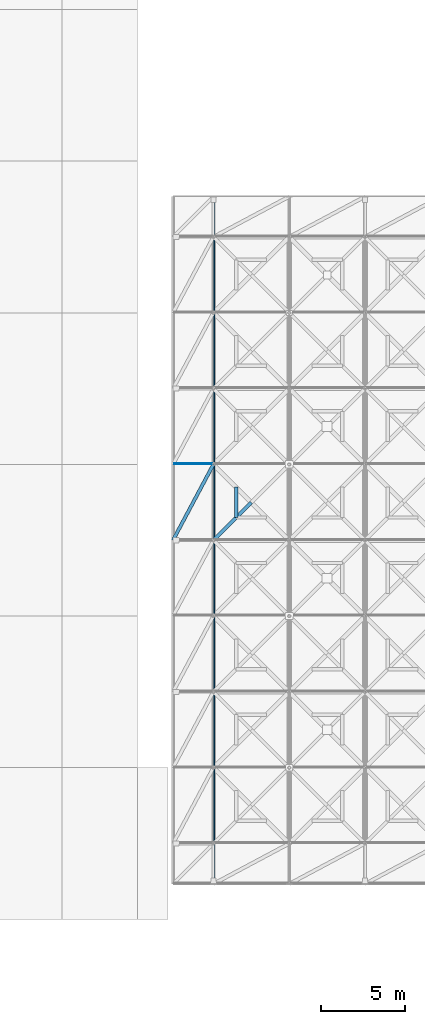
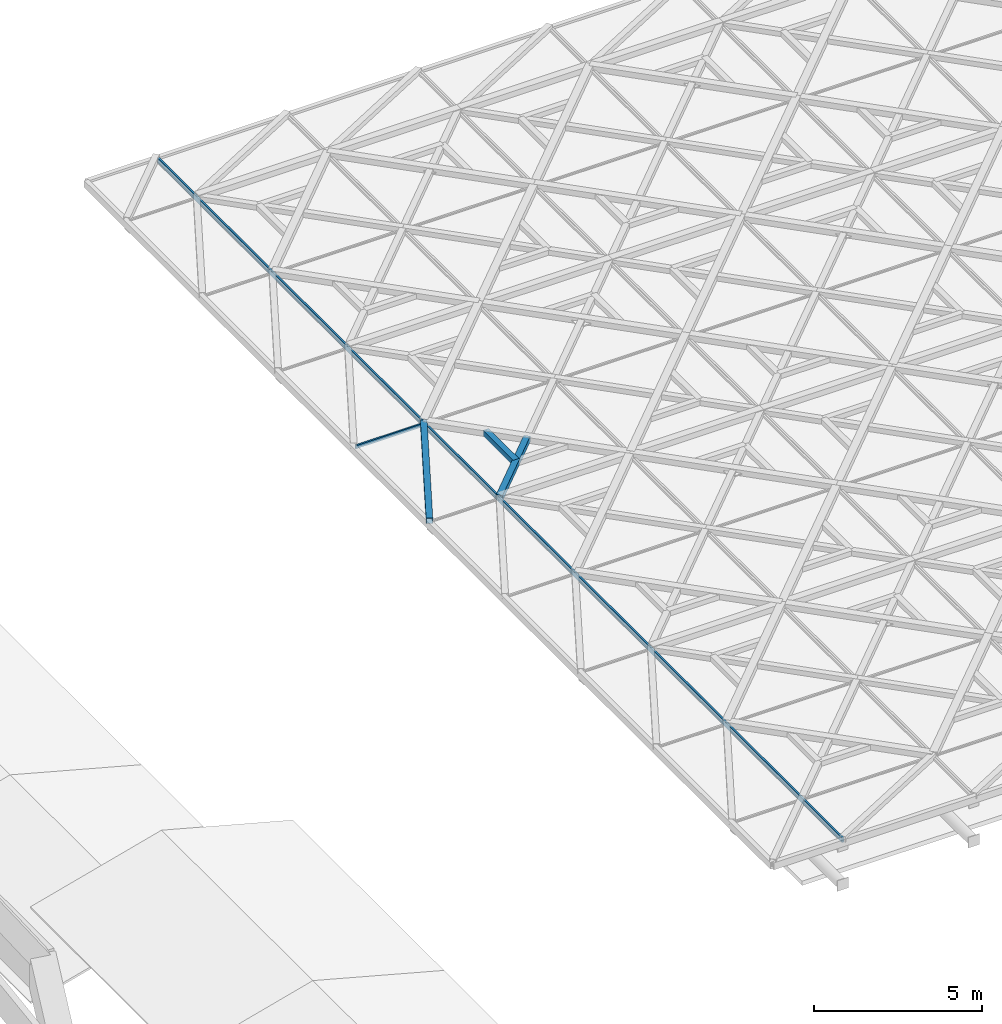
# One storey, part 7 of 80: 5 members, 2 elements without a shape of their own.
"""IFC4 building model written with IfcOpenShell, lengths in metres."""

from ifc_helpers import new_model, si_unit, direction, frame, origin, origin_2d, place, context, subcontext, project, spatial, rectangle, hollow_rectangle, extrude, material, material_profile, profile_set, type_object, element, aggregate, save


model = new_model("IFC4")

# Units and contexts
model_context = context("Model", 3, precision=1e-05, world=origin(), true_north=direction((0.0, 1.0)))
body_context = subcontext(model_context, "Body", "Model", "MODEL_VIEW")
ifc_project = project(units=[si_unit("LENGTHUNIT", "METRE"), si_unit("AREAUNIT", "SQUARE_METRE"), si_unit("VOLUMEUNIT", "CUBIC_METRE"), si_unit("PLANEANGLEUNIT", "RADIAN"), si_unit("MASSUNIT", "GRAM", prefix="KILO"), si_unit("THERMODYNAMICTEMPERATUREUNIT", "KELVIN"), si_unit("POWERUNIT", "WATT")], contexts=[model_context])

# Site, building, storey
site_placement = place(None, origin())
site = spatial("IfcSite", under=ifc_project, at=site_placement, CompositionType="ELEMENT")
building_placement = place(site_placement, origin())
building = spatial("IfcBuilding", under=site, at=building_placement, Name="Tallowbark Science Centre", CompositionType="ELEMENT")
storey_placement = place(building_placement, frame((0.0, 0.0, 25.949951171875)))
storey = spatial("IfcBuildingStorey", under=building, at=storey_placement, Name="ROOF", CompositionType="ELEMENT", Elevation=25.949951171875)

# Curtain wall, member
ifc_material_1 = material(Name="Blue-Tinted Laminated Low-E Skylight Glass", Category="glass")
curtain_wall_type = type_object("IfcCurtainWallType", Name="CW-SKY-ROOF", PredefinedType="NOTDEFINED", material=ifc_material_1)
curtain_wall_1_placement = place(storey_placement, origin())
curtain_wall_1 = element("IfcCurtainWall", 1, at=curtain_wall_1_placement, inside=storey, type_object=curtain_wall_type, Name="Exhibition Star-Screen Skylight Bay 2", PredefinedType="NOTDEFINED")
ifc_material_2 = material(Name="Anodised Architectural Aluminium Alloy 6063-T6", Category="aluminium")
ifc_material_profile_1 = material_profile(ifc_material_2, rectangle(XDim=0.06494140625, YDim=0.179931640625, at=origin_2d()), Name="ALU65x180")
ifc_profile_set_1 = profile_set([ifc_material_profile_1], Name="Anodised Architectural Aluminium Alloy 6063-T6")
member_type_1 = type_object("IfcMemberType", Name="CWM-SKY-MUL", PredefinedType="MULLION", material=ifc_profile_set_1)
member_1_placement = place(storey_placement, frame((58.5400390625, 2.14990234375, 0.35205078125), z_axis=(0.0, 1.0, 0.0), x_axis=(-1.0, 0.0, 0.0)))
member_1 = element("IfcMember", 2, at=member_1_placement, type_object=member_type_1, Name="Skylight Bay 2 Mullion W", PredefinedType="MULLION", context=body_context, shape_type="SweptSolid", body=[
    extrude(rectangle(XDim=0.06494140625, YDim=0.179931640625, at=origin_2d()), origin(), (0.0, 0.0, 1.0), 40.7001953125),
])
aggregate(curtain_wall_1, [member_1])

curtain_wall_2_placement = place(storey_placement, origin())
curtain_wall_2 = element("IfcCurtainWall", 3, at=curtain_wall_2_placement, inside=storey, type_object=curtain_wall_type, Name="Exhibition Star-Screen Skylight Bay 1", PredefinedType="NOTDEFINED")
ifc_material_profile_2 = material_profile(ifc_material_2, rectangle(XDim=0.054931640625, YDim=0.1201171875, at=origin_2d()), Name="ALU55x120")
ifc_profile_set_2 = profile_set([ifc_material_profile_2], Name="Anodised Architectural Aluminium Alloy 6063-T6")
member_type_2 = type_object("IfcMemberType", Name="CWM-SKY-TRN", PredefinedType="USERDEFINED", material=ifc_profile_set_2)
member_2_placement = place(storey_placement, frame((56.179931640625, 27.0400390625, 0.35205078125), z_axis=(1.0, 0.0, 0.0), x_axis=(0.0, 1.0, 0.0)))
member_2 = element("IfcMember", 4, at=member_2_placement, type_object=member_type_2, Name="Skylight Bay 1 Transom 7", ObjectType="TRANSOM", PredefinedType="USERDEFINED", context=body_context, shape_type="SweptSolid", body=[
    extrude(rectangle(XDim=0.054931640625, YDim=0.1201171875, at=origin_2d()), origin(), (0.0, 0.0, 1.0), 2.239990234375),
])
aggregate(curtain_wall_2, [member_2])

# Members
ifc_material_3 = material(Name="White Architectural Painted Steel Grade C350L0 (350 MPa)", Category="steel")
ifc_material_profile_3 = material_profile(ifc_material_3, hollow_rectangle(XDim=0.199951171875, YDim=0.199951171875, WallThickness=0.009033203125, at=origin_2d()), Name="200x200x9.0SHS")
ifc_profile_set_3 = profile_set([ifc_material_profile_3], Name="White Architectural Painted Steel Grade C350L0 (350 MPa)")
member_type_3 = type_object("IfcMemberType", Name="SCR-STAR139", PredefinedType="BRACE", material=ifc_profile_set_3)
member_3_placement = place(storey_placement, frame((58.5, 22.5, 0.449951171875), z_axis=(0.707106781187, 0.707106781187, 0.0), x_axis=(-0.707106781187, 0.707106781187, 0.0)))
element("IfcMember", 5, at=member_3_placement, inside=storey, type_object=member_type_3, Name="Star Screen Continuous X-Diagonal D1A TOP-56", PredefinedType="BRACE", context=body_context, shape_type="SweptSolid", body=[
    extrude(hollow_rectangle(XDim=0.199951171875, YDim=0.199951171875, WallThickness=0.009033203125, at=origin_2d()), origin(), (0.0, 0.0, 1.0), 3.181884765625),
])
member_4_placement = place(storey_placement, frame((56.10009765625, 22.5, 0.449951171875), z_axis=(0.470573327259, 0.882360891967, 0.0), x_axis=(-0.882360891967, 0.470573327259, 0.0)))
element("IfcMember", 6, at=member_4_placement, inside=storey, type_object=member_type_3, Name="Top Perimeter Gap Star Diagonal 1-6", PredefinedType="BRACE", context=body_context, shape_type="SweptSolid", body=[
    extrude(hollow_rectangle(XDim=0.199951171875, YDim=0.199951171875, WallThickness=0.009033203125, at=origin_2d()), origin(), (0.0, 0.0, 1.0), 5.099853515625),
])
ifc_material_profile_4 = material_profile(ifc_material_3, hollow_rectangle(XDim=0.199951171875, YDim=0.199951171875, WallThickness=0.009033203125, at=origin_2d()), Name="200x200x9.0SHS")
ifc_profile_set_4 = profile_set([ifc_material_profile_4], Name="White Architectural Painted Steel Grade C350L0 (350 MPa)")
member_type_4 = type_object("IfcMemberType", Name="SCR-SUB150", PredefinedType="BRACE", material=ifc_profile_set_4)
member_5_placement = place(storey_placement, frame((59.85009765625, 23.85009765625, 0.449951171875), z_axis=(0.0, 1.0, 0.0), x_axis=(-1.0, 0.0, 0.0)))
element("IfcMember", 7, at=member_5_placement, inside=storey, type_object=member_type_4, Name="Star Screen Octagram Point Ray TOP-56-2", PredefinedType="BRACE", context=body_context, shape_type="SweptSolid", body=[
    extrude(hollow_rectangle(XDim=0.199951171875, YDim=0.199951171875, WallThickness=0.009033203125, at=origin_2d()), origin(), (0.0, 0.0, 1.0), 1.7998046875),
])

save(model, "model.ifc")
